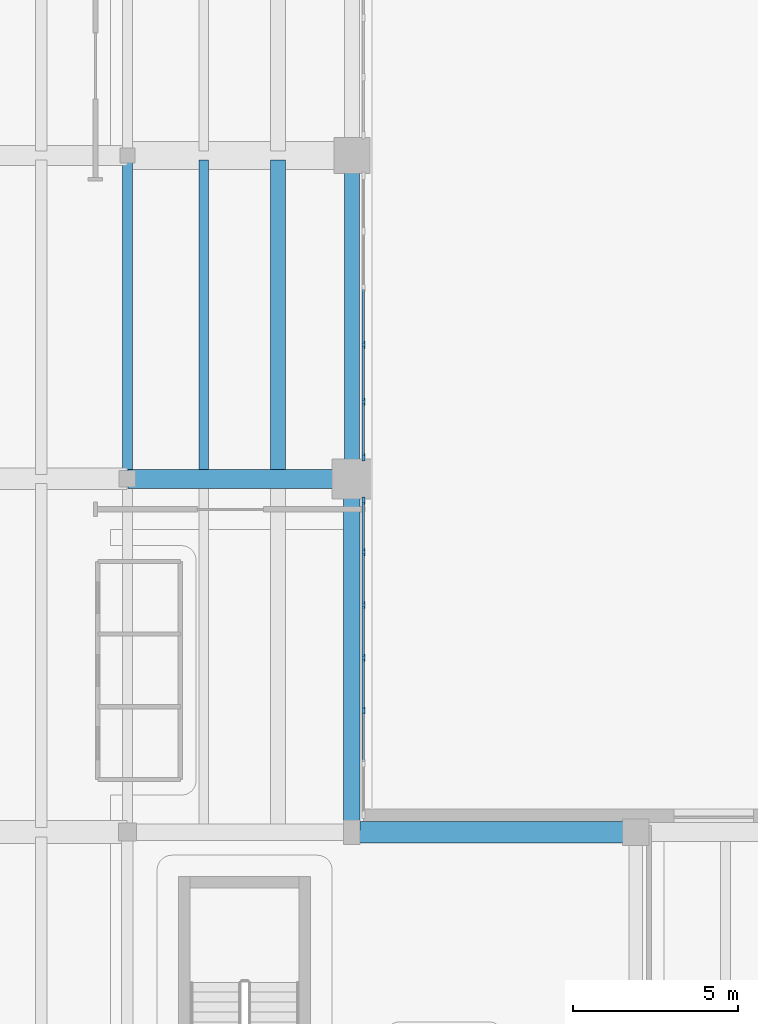
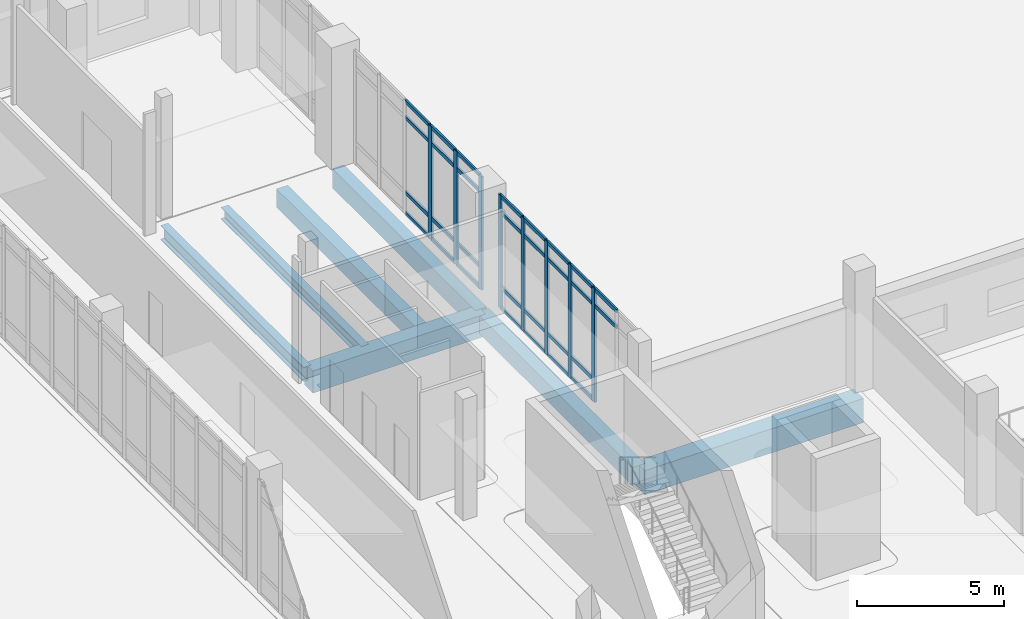
# One storey, part 17 of 74: 38 members, 7 beams, 2 elements without a shape of their own.
"""IFC4 building model written with IfcOpenShell, lengths in metres."""

from ifc_helpers import new_model, si_unit, direction, frame, origin, origin_2d, place, context, subcontext, project, spatial, rectangle, i_section, extrude, material, material_profile, profile_set, type_object, element, aggregate, save


model = new_model("IFC4")

# Units and contexts
model_context = context("Model", 3, precision=1e-05, world=origin(), true_north=direction((0.0, 1.0)))
body_context = subcontext(model_context, "Body", "Model", "MODEL_VIEW")
ifc_project = project(units=[si_unit("LENGTHUNIT", "METRE"), si_unit("AREAUNIT", "SQUARE_METRE"), si_unit("VOLUMEUNIT", "CUBIC_METRE"), si_unit("PLANEANGLEUNIT", "RADIAN"), si_unit("MASSUNIT", "GRAM", prefix="KILO")], contexts=[model_context])

# Site, building, storey
site_placement = place(None, origin())
site = spatial("IfcSite", under=ifc_project, at=site_placement, CompositionType="ELEMENT")
building_placement = place(site_placement, origin())
building = spatial("IfcBuilding", under=site, at=building_placement, Name="Soyqirgoq Riverine Aquarium", CompositionType="ELEMENT")
storey_placement = place(building_placement, origin())
storey = spatial("IfcBuildingStorey", under=building, at=storey_placement, Name="L01", CompositionType="ELEMENT", Elevation=0.0)

# Beams
ifc_material_1 = material(Name="Concrete C40/50", Category="concrete")
ifc_material_profile_1 = material_profile(ifc_material_1, rectangle(XDim=0.449951171875, YDim=0.75, at=origin_2d()), Name="RC 450x750")
ifc_profile_set_1 = profile_set([ifc_material_profile_1], Name="Concrete C40/50")
beam_type_1 = type_object("IfcBeamType", Name="Beam_RC_450x750", PredefinedType="BEAM", material=ifc_profile_set_1)
beam_1_placement = place(storey_placement, frame((127.156005859375, 28.639892578125, -0.72509765625), z_axis=(0.0, 1.0, 0.0), x_axis=(-1.0, 0.0, 0.0)))
element("IfcBeam", 1, at=beam_1_placement, inside=storey, type_object=beam_type_1, Name="V6 L01 Secondary Bay Joist 1077", PredefinedType="BEAM", context=body_context, shape_type="SweptSolid", body=[
    extrude(rectangle(XDim=0.449951171875, YDim=0.75, at=origin_2d()), origin(), (0.0, 0.0, 1.0), 9.52001953125),
])
ifc_material_2 = material(Name="Concrete C40/50", Category="concrete")
ifc_material_profile_2 = material_profile(ifc_material_2, rectangle(XDim=0.449951171875, YDim=0.800048828125, at=origin_2d()), Name="RC 450x800")
ifc_profile_set_2 = profile_set([ifc_material_profile_2], Name="Concrete C40/50")
beam_type_2 = type_object("IfcBeamType", Name="Beam_RC_450x800", PredefinedType="BEAM", material=ifc_profile_set_2)
beam_2_placement = place(storey_placement, frame((129.39990234375, 28.550048828125, -0.75), z_axis=(0.0, 1.0, 0.0), x_axis=(-1.0, 0.0, 0.0)))
element("IfcBeam", 2, at=beam_2_placement, inside=storey, type_object=beam_type_2, Name="V6 L01 North-South Frame Beam 1034", PredefinedType="BEAM", context=body_context, shape_type="SweptSolid", body=[
    extrude(rectangle(XDim=0.449951171875, YDim=0.800048828125, at=origin_2d()), origin(), (0.0, 0.0, 1.0), 9.699951171875),
])
ifc_material_3 = material(Name="Concrete C40/50", Category="concrete")
ifc_material_profile_3 = material_profile(ifc_material_3, rectangle(XDim=0.5, YDim=0.75, at=origin_2d()), Name="RC 500x750")
ifc_profile_set_3 = profile_set([ifc_material_profile_3], Name="Concrete C40/50")
beam_type_3 = type_object("IfcBeamType", Name="Beam_RC_500x750", PredefinedType="BEAM", material=ifc_profile_set_3)
beam_3_placement = place(storey_placement, frame((129.39990234375, 17.85009765625, -0.72509765625), z_axis=(0.0, 1.0, 0.0), x_axis=(-1.0, 0.0, 0.0)))
element("IfcBeam", 3, at=beam_3_placement, inside=storey, type_object=beam_type_3, Name="V6 L01 North-South Frame Beam 1032", PredefinedType="BEAM", context=body_context, shape_type="SweptSolid", body=[
    extrude(rectangle(XDim=0.5, YDim=0.75, at=origin_2d()), origin(), (0.0, 0.0, 1.0), 10.599853515625),
])

# Curtain wall, members
ifc_material_4 = material(Name="Structural silicone glazed entrance curtain wall", Category="aluminium")
curtain_wall_type = type_object("IfcCurtainWallType", Name="CW_Portal_Entrance", PredefinedType="NOTDEFINED", material=ifc_material_4)
curtain_wall_1_placement = place(storey_placement, origin())
curtain_wall_1 = element("IfcCurtainWall", 4, at=curtain_wall_1_placement, inside=storey, type_object=curtain_wall_type, Name="V6 L01 Curtain Wall 109", PredefinedType="NOTDEFINED")
ifc_material_5 = material(Name="Anodised aluminium 6063-T6", Category="aluminium")
ifc_material_profile_4 = material_profile(ifc_material_5, rectangle(XDim=0.080078125, YDim=0.219970703125, at=origin_2d()), Name="ALU-M 80x220")
ifc_profile_set_4 = profile_set([ifc_material_profile_4], Name="Anodised aluminium 6063-T6")
member_type_1 = type_object("IfcMemberType", Name="CWMullion_80x220", PredefinedType="MULLION", material=ifc_profile_set_4)
member_1_placement = place(storey_placement, frame((129.75, 32.56396484375, 0.0), z_axis=(0.0, 0.0, 1.0), x_axis=(1.0, 0.0, 0.0)))
member_1 = element("IfcMember", 5, at=member_1_placement, type_object=member_type_1, Name="CW-04 mullion 4", PredefinedType="MULLION", context=body_context, shape_type="SweptSolid", body=[
    extrude(rectangle(XDim=0.080078125, YDim=0.219970703125, at=origin_2d()), origin(), (0.0, 0.0, 1.0), 4.699951171875),
])
member_2_placement = place(storey_placement, frame((129.75, 30.842041015625, 0.0), z_axis=(0.0, 0.0, 1.0), x_axis=(1.0, 0.0, 0.0)))
member_2 = element("IfcMember", 6, at=member_2_placement, type_object=member_type_1, Name="CW-04 mullion 5", PredefinedType="MULLION", context=body_context, shape_type="SweptSolid", body=[
    extrude(rectangle(XDim=0.080078125, YDim=0.219970703125, at=origin_2d()), origin(), (0.0, 0.0, 1.0), 4.699951171875),
])
member_3_placement = place(storey_placement, frame((129.75, 29.159912109375, 0.0), z_axis=(0.0, 0.0, 1.0), x_axis=(1.0, 0.0, 0.0)))
member_3 = element("IfcMember", 7, at=member_3_placement, type_object=member_type_1, Name="CW-04 mullion 6", PredefinedType="MULLION", context=body_context, shape_type="SweptSolid", body=[
    extrude(rectangle(XDim=0.080078125, YDim=0.219970703125, at=origin_2d()), origin(), (0.0, 0.0, 1.0), 4.699951171875),
])

curtain_wall_2_placement = place(storey_placement, origin())
curtain_wall_2 = element("IfcCurtainWall", 8, at=curtain_wall_2_placement, inside=storey, type_object=curtain_wall_type, Name="V6 L01 Curtain Wall 110", PredefinedType="NOTDEFINED")
member_4_placement = place(storey_placement, frame((129.75, 27.840087890625, 0.0), z_axis=(0.0, 0.0, 1.0), x_axis=(1.0, 0.0, 0.0)))
member_4 = element("IfcMember", 9, at=member_4_placement, type_object=member_type_1, Name="CW-04 mullion 1", PredefinedType="MULLION", context=body_context, shape_type="SweptSolid", body=[
    extrude(rectangle(XDim=0.080078125, YDim=0.219970703125, at=origin_2d()), origin(), (0.0, 0.0, 1.0), 4.699951171875),
])
member_5_placement = place(storey_placement, frame((129.75, 26.28173828125, 0.0), z_axis=(0.0, 0.0, 1.0), x_axis=(1.0, 0.0, 0.0)))
member_5 = element("IfcMember", 10, at=member_5_placement, type_object=member_type_1, Name="CW-04 mullion 2", PredefinedType="MULLION", context=body_context, shape_type="SweptSolid", body=[
    extrude(rectangle(XDim=0.080078125, YDim=0.219970703125, at=origin_2d()), origin(), (0.0, 0.0, 1.0), 4.699951171875),
])
member_6_placement = place(storey_placement, frame((129.75, 24.683349609375, 0.0), z_axis=(0.0, 0.0, 1.0), x_axis=(1.0, 0.0, 0.0)))
member_6 = element("IfcMember", 11, at=member_6_placement, type_object=member_type_1, Name="CW-04 mullion 3", PredefinedType="MULLION", context=body_context, shape_type="SweptSolid", body=[
    extrude(rectangle(XDim=0.080078125, YDim=0.219970703125, at=origin_2d()), origin(), (0.0, 0.0, 1.0), 4.699951171875),
])
member_7_placement = place(storey_placement, frame((129.75, 23.0849609375, 0.0), z_axis=(0.0, 0.0, 1.0), x_axis=(1.0, 0.0, 0.0)))
member_7 = element("IfcMember", 12, at=member_7_placement, type_object=member_type_1, Name="CW-04 mullion 4", PredefinedType="MULLION", context=body_context, shape_type="SweptSolid", body=[
    extrude(rectangle(XDim=0.080078125, YDim=0.219970703125, at=origin_2d()), origin(), (0.0, 0.0, 1.0), 4.699951171875),
])
member_8_placement = place(storey_placement, frame((129.75, 21.486572265625, 0.0), z_axis=(0.0, 0.0, 1.0), x_axis=(1.0, 0.0, 0.0)))
member_8 = element("IfcMember", 13, at=member_8_placement, type_object=member_type_1, Name="CW-04 mullion 5", PredefinedType="MULLION", context=body_context, shape_type="SweptSolid", body=[
    extrude(rectangle(XDim=0.080078125, YDim=0.219970703125, at=origin_2d()), origin(), (0.0, 0.0, 1.0), 4.699951171875),
])

# Member
ifc_material_6 = material(Name="Anodised aluminium 6063-T6", Category="aluminium")
ifc_material_profile_5 = material_profile(ifc_material_6, rectangle(XDim=0.074951171875, YDim=0.14990234375, at=origin_2d()), Name="ALU-T 75x150")
ifc_profile_set_5 = profile_set([ifc_material_profile_5], Name="Anodised aluminium 6063-T6")
member_type_2 = type_object("IfcMemberType", Name="CWTransom_75x150", PredefinedType="USERDEFINED", material=ifc_profile_set_5)
member_9_placement = place(storey_placement, frame((129.75, 34.24609375, 0.03759765625), z_axis=(0.0, -1.0, 0.0), x_axis=(1.0, 0.0, 0.0)))
member_9 = element("IfcMember", 14, at=member_9_placement, type_object=member_type_2, Name="CW-04 transom 3.1", ObjectType="TRANSOM", PredefinedType="USERDEFINED", context=body_context, shape_type="SweptSolid", body=[
    extrude(rectangle(XDim=0.074951171875, YDim=0.14990234375, at=origin_2d()), origin(), (0.0, 0.0, 1.0), 1.64208984375),
])

member_10_placement = place(storey_placement, frame((129.75, 34.24609375, 0.89990234375), z_axis=(0.0, -1.0, 0.0), x_axis=(1.0, 0.0, 0.0)))
member_10 = element("IfcMember", 15, at=member_10_placement, type_object=member_type_2, Name="CW-04 transom 3.2", ObjectType="TRANSOM", PredefinedType="USERDEFINED", context=body_context, shape_type="SweptSolid", body=[
    extrude(rectangle(XDim=0.074951171875, YDim=0.14990234375, at=origin_2d()), origin(), (0.0, 0.0, 1.0), 1.64208984375),
])

member_11_placement = place(storey_placement, frame((129.75, 34.24609375, 4.0), z_axis=(0.0, -1.0, 0.0), x_axis=(1.0, 0.0, 0.0)))
member_11 = element("IfcMember", 16, at=member_11_placement, type_object=member_type_2, Name="CW-04 transom 3.3", ObjectType="TRANSOM", PredefinedType="USERDEFINED", context=body_context, shape_type="SweptSolid", body=[
    extrude(rectangle(XDim=0.074951171875, YDim=0.14990234375, at=origin_2d()), origin(), (0.0, 0.0, 1.0), 1.64208984375),
])

member_12_placement = place(storey_placement, frame((129.75, 34.24609375, 4.66259765625), z_axis=(0.0, -1.0, 0.0), x_axis=(1.0, 0.0, 0.0)))
member_12 = element("IfcMember", 17, at=member_12_placement, type_object=member_type_2, Name="CW-04 transom 3.4", ObjectType="TRANSOM", PredefinedType="USERDEFINED", context=body_context, shape_type="SweptSolid", body=[
    extrude(rectangle(XDim=0.074951171875, YDim=0.14990234375, at=origin_2d()), origin(), (0.0, 0.0, 1.0), 1.64208984375),
])

member_13_placement = place(storey_placement, frame((129.75, 32.52392578125, 0.03759765625), z_axis=(0.0, -1.0, 0.0), x_axis=(1.0, 0.0, 0.0)))
member_13 = element("IfcMember", 18, at=member_13_placement, type_object=member_type_2, Name="CW-04 transom 4.1", ObjectType="TRANSOM", PredefinedType="USERDEFINED", context=body_context, shape_type="SweptSolid", body=[
    extrude(rectangle(XDim=0.074951171875, YDim=0.14990234375, at=origin_2d()), origin(), (0.0, 0.0, 1.0), 1.641845703125),
])

member_14_placement = place(storey_placement, frame((129.75, 32.52392578125, 0.89990234375), z_axis=(0.0, -1.0, 0.0), x_axis=(1.0, 0.0, 0.0)))
member_14 = element("IfcMember", 19, at=member_14_placement, type_object=member_type_2, Name="CW-04 transom 4.2", ObjectType="TRANSOM", PredefinedType="USERDEFINED", context=body_context, shape_type="SweptSolid", body=[
    extrude(rectangle(XDim=0.074951171875, YDim=0.14990234375, at=origin_2d()), origin(), (0.0, 0.0, 1.0), 1.641845703125),
])

member_15_placement = place(storey_placement, frame((129.75, 32.52392578125, 4.0), z_axis=(0.0, -1.0, 0.0), x_axis=(1.0, 0.0, 0.0)))
member_15 = element("IfcMember", 20, at=member_15_placement, type_object=member_type_2, Name="CW-04 transom 4.3", ObjectType="TRANSOM", PredefinedType="USERDEFINED", context=body_context, shape_type="SweptSolid", body=[
    extrude(rectangle(XDim=0.074951171875, YDim=0.14990234375, at=origin_2d()), origin(), (0.0, 0.0, 1.0), 1.641845703125),
])

member_16_placement = place(storey_placement, frame((129.75, 32.52392578125, 4.66259765625), z_axis=(0.0, -1.0, 0.0), x_axis=(1.0, 0.0, 0.0)))
member_16 = element("IfcMember", 21, at=member_16_placement, type_object=member_type_2, Name="CW-04 transom 4.4", ObjectType="TRANSOM", PredefinedType="USERDEFINED", context=body_context, shape_type="SweptSolid", body=[
    extrude(rectangle(XDim=0.074951171875, YDim=0.14990234375, at=origin_2d()), origin(), (0.0, 0.0, 1.0), 1.641845703125),
])

member_17_placement = place(storey_placement, frame((129.75, 30.802001953125, 0.03759765625), z_axis=(0.0, -1.0, 0.0), x_axis=(1.0, 0.0, 0.0)))
member_17 = element("IfcMember", 22, at=member_17_placement, type_object=member_type_2, Name="CW-04 transom 5.1", ObjectType="TRANSOM", PredefinedType="USERDEFINED", context=body_context, shape_type="SweptSolid", body=[
    extrude(rectangle(XDim=0.074951171875, YDim=0.14990234375, at=origin_2d()), origin(), (0.0, 0.0, 1.0), 1.60205078125),
])

member_18_placement = place(storey_placement, frame((129.75, 30.802001953125, 0.89990234375), z_axis=(0.0, -1.0, 0.0), x_axis=(1.0, 0.0, 0.0)))
member_18 = element("IfcMember", 23, at=member_18_placement, type_object=member_type_2, Name="CW-04 transom 5.2", ObjectType="TRANSOM", PredefinedType="USERDEFINED", context=body_context, shape_type="SweptSolid", body=[
    extrude(rectangle(XDim=0.074951171875, YDim=0.14990234375, at=origin_2d()), origin(), (0.0, 0.0, 1.0), 1.60205078125),
])

member_19_placement = place(storey_placement, frame((129.75, 30.802001953125, 4.0), z_axis=(0.0, -1.0, 0.0), x_axis=(1.0, 0.0, 0.0)))
member_19 = element("IfcMember", 24, at=member_19_placement, type_object=member_type_2, Name="CW-04 transom 5.3", ObjectType="TRANSOM", PredefinedType="USERDEFINED", context=body_context, shape_type="SweptSolid", body=[
    extrude(rectangle(XDim=0.074951171875, YDim=0.14990234375, at=origin_2d()), origin(), (0.0, 0.0, 1.0), 1.60205078125),
])

member_20_placement = place(storey_placement, frame((129.75, 30.802001953125, 4.66259765625), z_axis=(0.0, -1.0, 0.0), x_axis=(1.0, 0.0, 0.0)))
member_20 = element("IfcMember", 25, at=member_20_placement, type_object=member_type_2, Name="CW-04 transom 5.4", ObjectType="TRANSOM", PredefinedType="USERDEFINED", context=body_context, shape_type="SweptSolid", body=[
    extrude(rectangle(XDim=0.074951171875, YDim=0.14990234375, at=origin_2d()), origin(), (0.0, 0.0, 1.0), 1.60205078125),
])

aggregate(curtain_wall_1, [member_1, member_2, member_3, member_9, member_10, member_11, member_12, member_13, member_14, member_15, member_16, member_17, member_18, member_19, member_20])

member_21_placement = place(storey_placement, frame((129.75, 27.800048828125, 0.03759765625), z_axis=(0.0, -1.0, 0.0), x_axis=(1.0, 0.0, 0.0)))
member_21 = element("IfcMember", 26, at=member_21_placement, type_object=member_type_2, Name="CW-04 transom 1.1", ObjectType="TRANSOM", PredefinedType="USERDEFINED", context=body_context, shape_type="SweptSolid", body=[
    extrude(rectangle(XDim=0.074951171875, YDim=0.14990234375, at=origin_2d()), origin(), (0.0, 0.0, 1.0), 1.478271484375),
])

member_22_placement = place(storey_placement, frame((129.75, 27.800048828125, 0.89990234375), z_axis=(0.0, -1.0, 0.0), x_axis=(1.0, 0.0, 0.0)))
member_22 = element("IfcMember", 27, at=member_22_placement, type_object=member_type_2, Name="CW-04 transom 1.2", ObjectType="TRANSOM", PredefinedType="USERDEFINED", context=body_context, shape_type="SweptSolid", body=[
    extrude(rectangle(XDim=0.074951171875, YDim=0.14990234375, at=origin_2d()), origin(), (0.0, 0.0, 1.0), 1.478271484375),
])

member_23_placement = place(storey_placement, frame((129.75, 27.800048828125, 4.0), z_axis=(0.0, -1.0, 0.0), x_axis=(1.0, 0.0, 0.0)))
member_23 = element("IfcMember", 28, at=member_23_placement, type_object=member_type_2, Name="CW-04 transom 1.3", ObjectType="TRANSOM", PredefinedType="USERDEFINED", context=body_context, shape_type="SweptSolid", body=[
    extrude(rectangle(XDim=0.074951171875, YDim=0.14990234375, at=origin_2d()), origin(), (0.0, 0.0, 1.0), 1.478271484375),
])

member_24_placement = place(storey_placement, frame((129.75, 27.800048828125, 4.66259765625), z_axis=(0.0, -1.0, 0.0), x_axis=(1.0, 0.0, 0.0)))
member_24 = element("IfcMember", 29, at=member_24_placement, type_object=member_type_2, Name="CW-04 transom 1.4", ObjectType="TRANSOM", PredefinedType="USERDEFINED", context=body_context, shape_type="SweptSolid", body=[
    extrude(rectangle(XDim=0.074951171875, YDim=0.14990234375, at=origin_2d()), origin(), (0.0, 0.0, 1.0), 1.478271484375),
])

member_25_placement = place(storey_placement, frame((129.75, 26.24169921875, 0.03759765625), z_axis=(0.0, -1.0, 0.0), x_axis=(1.0, 0.0, 0.0)))
member_25 = element("IfcMember", 30, at=member_25_placement, type_object=member_type_2, Name="CW-04 transom 2.1", ObjectType="TRANSOM", PredefinedType="USERDEFINED", context=body_context, shape_type="SweptSolid", body=[
    extrude(rectangle(XDim=0.074951171875, YDim=0.14990234375, at=origin_2d()), origin(), (0.0, 0.0, 1.0), 1.518310546875),
])

member_26_placement = place(storey_placement, frame((129.75, 26.24169921875, 0.89990234375), z_axis=(0.0, -1.0, 0.0), x_axis=(1.0, 0.0, 0.0)))
member_26 = element("IfcMember", 31, at=member_26_placement, type_object=member_type_2, Name="CW-04 transom 2.2", ObjectType="TRANSOM", PredefinedType="USERDEFINED", context=body_context, shape_type="SweptSolid", body=[
    extrude(rectangle(XDim=0.074951171875, YDim=0.14990234375, at=origin_2d()), origin(), (0.0, 0.0, 1.0), 1.518310546875),
])

member_27_placement = place(storey_placement, frame((129.75, 26.24169921875, 4.0), z_axis=(0.0, -1.0, 0.0), x_axis=(1.0, 0.0, 0.0)))
member_27 = element("IfcMember", 32, at=member_27_placement, type_object=member_type_2, Name="CW-04 transom 2.3", ObjectType="TRANSOM", PredefinedType="USERDEFINED", context=body_context, shape_type="SweptSolid", body=[
    extrude(rectangle(XDim=0.074951171875, YDim=0.14990234375, at=origin_2d()), origin(), (0.0, 0.0, 1.0), 1.518310546875),
])

member_28_placement = place(storey_placement, frame((129.75, 26.24169921875, 4.66259765625), z_axis=(0.0, -1.0, 0.0), x_axis=(1.0, 0.0, 0.0)))
member_28 = element("IfcMember", 33, at=member_28_placement, type_object=member_type_2, Name="CW-04 transom 2.4", ObjectType="TRANSOM", PredefinedType="USERDEFINED", context=body_context, shape_type="SweptSolid", body=[
    extrude(rectangle(XDim=0.074951171875, YDim=0.14990234375, at=origin_2d()), origin(), (0.0, 0.0, 1.0), 1.518310546875),
])

member_29_placement = place(storey_placement, frame((129.75, 24.643310546875, 0.03759765625), z_axis=(0.0, -1.0, 0.0), x_axis=(1.0, 0.0, 0.0)))
member_29 = element("IfcMember", 34, at=member_29_placement, type_object=member_type_2, Name="CW-04 transom 3.1", ObjectType="TRANSOM", PredefinedType="USERDEFINED", context=body_context, shape_type="SweptSolid", body=[
    extrude(rectangle(XDim=0.074951171875, YDim=0.14990234375, at=origin_2d()), origin(), (0.0, 0.0, 1.0), 1.518310546875),
])

member_30_placement = place(storey_placement, frame((129.75, 24.643310546875, 0.89990234375), z_axis=(0.0, -1.0, 0.0), x_axis=(1.0, 0.0, 0.0)))
member_30 = element("IfcMember", 35, at=member_30_placement, type_object=member_type_2, Name="CW-04 transom 3.2", ObjectType="TRANSOM", PredefinedType="USERDEFINED", context=body_context, shape_type="SweptSolid", body=[
    extrude(rectangle(XDim=0.074951171875, YDim=0.14990234375, at=origin_2d()), origin(), (0.0, 0.0, 1.0), 1.518310546875),
])

member_31_placement = place(storey_placement, frame((129.75, 24.643310546875, 4.0), z_axis=(0.0, -1.0, 0.0), x_axis=(1.0, 0.0, 0.0)))
member_31 = element("IfcMember", 36, at=member_31_placement, type_object=member_type_2, Name="CW-04 transom 3.3", ObjectType="TRANSOM", PredefinedType="USERDEFINED", context=body_context, shape_type="SweptSolid", body=[
    extrude(rectangle(XDim=0.074951171875, YDim=0.14990234375, at=origin_2d()), origin(), (0.0, 0.0, 1.0), 1.518310546875),
])

member_32_placement = place(storey_placement, frame((129.75, 24.643310546875, 4.66259765625), z_axis=(0.0, -1.0, 0.0), x_axis=(1.0, 0.0, 0.0)))
member_32 = element("IfcMember", 37, at=member_32_placement, type_object=member_type_2, Name="CW-04 transom 3.4", ObjectType="TRANSOM", PredefinedType="USERDEFINED", context=body_context, shape_type="SweptSolid", body=[
    extrude(rectangle(XDim=0.074951171875, YDim=0.14990234375, at=origin_2d()), origin(), (0.0, 0.0, 1.0), 1.518310546875),
])

member_33_placement = place(storey_placement, frame((129.75, 23.044921875, 0.03759765625), z_axis=(0.0, -1.0, 0.0), x_axis=(1.0, 0.0, 0.0)))
member_33 = element("IfcMember", 38, at=member_33_placement, type_object=member_type_2, Name="CW-04 transom 4.1", ObjectType="TRANSOM", PredefinedType="USERDEFINED", context=body_context, shape_type="SweptSolid", body=[
    extrude(rectangle(XDim=0.074951171875, YDim=0.14990234375, at=origin_2d()), origin(), (0.0, 0.0, 1.0), 1.518310546875),
])

member_34_placement = place(storey_placement, frame((129.75, 23.044921875, 0.89990234375), z_axis=(0.0, -1.0, 0.0), x_axis=(1.0, 0.0, 0.0)))
member_34 = element("IfcMember", 39, at=member_34_placement, type_object=member_type_2, Name="CW-04 transom 4.2", ObjectType="TRANSOM", PredefinedType="USERDEFINED", context=body_context, shape_type="SweptSolid", body=[
    extrude(rectangle(XDim=0.074951171875, YDim=0.14990234375, at=origin_2d()), origin(), (0.0, 0.0, 1.0), 1.518310546875),
])

member_35_placement = place(storey_placement, frame((129.75, 23.044921875, 4.0), z_axis=(0.0, -1.0, 0.0), x_axis=(1.0, 0.0, 0.0)))
member_35 = element("IfcMember", 40, at=member_35_placement, type_object=member_type_2, Name="CW-04 transom 4.3", ObjectType="TRANSOM", PredefinedType="USERDEFINED", context=body_context, shape_type="SweptSolid", body=[
    extrude(rectangle(XDim=0.074951171875, YDim=0.14990234375, at=origin_2d()), origin(), (0.0, 0.0, 1.0), 1.518310546875),
])

member_36_placement = place(storey_placement, frame((129.75, 23.044921875, 4.66259765625), z_axis=(0.0, -1.0, 0.0), x_axis=(1.0, 0.0, 0.0)))
member_36 = element("IfcMember", 41, at=member_36_placement, type_object=member_type_2, Name="CW-04 transom 4.4", ObjectType="TRANSOM", PredefinedType="USERDEFINED", context=body_context, shape_type="SweptSolid", body=[
    extrude(rectangle(XDim=0.074951171875, YDim=0.14990234375, at=origin_2d()), origin(), (0.0, 0.0, 1.0), 1.518310546875),
])

member_37_placement = place(storey_placement, frame((129.75, 21.44677734375, 4.0), z_axis=(0.0, -1.0, 0.0), x_axis=(1.0, 0.0, 0.0)))
member_37 = element("IfcMember", 42, at=member_37_placement, type_object=member_type_2, Name="CW-04 transom 5.3", ObjectType="TRANSOM", PredefinedType="USERDEFINED", context=body_context, shape_type="SweptSolid", body=[
    extrude(rectangle(XDim=0.074951171875, YDim=0.14990234375, at=origin_2d()), origin(), (0.0, 0.0, 1.0), 1.5185546875),
])

member_38_placement = place(storey_placement, frame((129.75, 21.44677734375, 4.66259765625), z_axis=(0.0, -1.0, 0.0), x_axis=(1.0, 0.0, 0.0)))
member_38 = element("IfcMember", 43, at=member_38_placement, type_object=member_type_2, Name="CW-04 transom 5.4", ObjectType="TRANSOM", PredefinedType="USERDEFINED", context=body_context, shape_type="SweptSolid", body=[
    extrude(rectangle(XDim=0.074951171875, YDim=0.14990234375, at=origin_2d()), origin(), (0.0, 0.0, 1.0), 1.5185546875),
])

aggregate(curtain_wall_2, [member_4, member_5, member_6, member_7, member_8, member_21, member_22, member_23, member_24, member_25, member_26, member_27, member_28, member_29, member_30, member_31, member_32, member_33, member_34, member_35, member_36, member_37, member_38])

# Beams
ifc_material_7 = material(Name="Concrete C40/50", Category="concrete")
ifc_material_profile_6 = material_profile(ifc_material_7, rectangle(XDim=0.580078125, YDim=0.919921875, at=origin_2d()), Name="RC 580x920")
ifc_profile_set_6 = profile_set([ifc_material_profile_6], Name="Concrete C40/50")
beam_type_4 = type_object("IfcBeamType", Name="Girder_RC_580x920", PredefinedType="BEAM", material=ifc_profile_set_6)
beam_4_placement = place(storey_placement, frame((122.6201171875, 28.5, -0.81005859375), z_axis=(1.0, 0.0, 0.0), x_axis=(0.0, 1.0, 0.0)))
element("IfcBeam", 44, at=beam_4_placement, inside=storey, type_object=beam_type_4, Name="V6 L01 East-West Frame Girder 1025", PredefinedType="BEAM", context=body_context, shape_type="SweptSolid", body=[
    extrude(rectangle(XDim=0.580078125, YDim=0.919921875, at=origin_2d()), origin(), (0.0, 0.0, 1.0), 6.759765625),
])
ifc_material_8 = material(Name="Concrete C40/50", Category="concrete")
ifc_material_profile_7 = material_profile(ifc_material_8, rectangle(XDim=0.64990234375, YDim=1.0, at=origin_2d()), Name="RC 650x1000")
ifc_profile_set_7 = profile_set([ifc_material_profile_7], Name="Concrete C40/50")
beam_type_5 = type_object("IfcBeamType", Name="Girder_RC_650x1000", PredefinedType="BEAM", material=ifc_profile_set_7)
beam_5_placement = place(storey_placement, frame((129.419921875, 17.800048828125, -0.85009765625), z_axis=(1.0, 0.0, 0.0), x_axis=(0.0, 1.0, 0.0)))
element("IfcBeam", 45, at=beam_5_placement, inside=storey, type_object=beam_type_5, Name="V6 L01 East-West Frame Girder 1033", PredefinedType="BEAM", context=body_context, shape_type="SweptSolid", body=[
    extrude(rectangle(XDim=0.64990234375, YDim=1.0, at=origin_2d()), origin(), (0.0, 0.0, 1.0), 8.56005859375),
])
ifc_material_9 = material(Name="Structural steel S355", Category="steel")
ifc_material_profile_8 = material_profile(ifc_material_9, i_section(OverallWidth=0.300048828125, OverallDepth=0.489990234375, WebThickness=0.011962890625, FlangeThickness=0.02294921875, FilletRadius=0.027099609375, at=origin_2d()), Name="HEA 500")
ifc_profile_set_8 = profile_set([ifc_material_profile_8], Name="Structural steel S355")
beam_type_6 = type_object("IfcBeamType", Name="SteelBeam_HEA500", PredefinedType="BEAM", material=ifc_profile_set_8)
beam_6_placement = place(storey_placement, frame((124.912109375, 28.639892578125, -0.594970703125), z_axis=(0.0, 1.0, 0.0), x_axis=(-1.0, 0.0, 0.0)))
element("IfcBeam", 46, at=beam_6_placement, inside=storey, type_object=beam_type_6, Name="V6 L01 Secondary Bay Joist 1076", PredefinedType="BEAM", context=body_context, shape_type="SweptSolid", body=[
    extrude(i_section(OverallWidth=0.300048828125, OverallDepth=0.489990234375, WebThickness=0.011962890625, FlangeThickness=0.02294921875, FilletRadius=0.027099609375, at=origin_2d()), origin(), (0.0, 0.0, 1.0), 9.52001953125),
])
ifc_material_10 = material(Name="Structural steel S355", Category="steel")
ifc_material_profile_9 = material_profile(ifc_material_10, i_section(OverallWidth=0.300048828125, OverallDepth=0.590087890625, WebThickness=0.012939453125, FlangeThickness=0.02490234375, FilletRadius=0.027099609375, at=origin_2d()), Name="HEA 600")
ifc_profile_set_9 = profile_set([ifc_material_profile_9], Name="Structural steel S355")
beam_type_7 = type_object("IfcBeamType", Name="SteelBeam_HEA600", PredefinedType="BEAM", material=ifc_profile_set_9)
beam_7_placement = place(storey_placement, frame((122.60009765625, 28.550048828125, -0.64501953125), z_axis=(0.0, 1.0, 0.0), x_axis=(-1.0, 0.0, 0.0)))
element("IfcBeam", 47, at=beam_7_placement, inside=storey, type_object=beam_type_7, Name="V6 L01 North-South Frame Beam 1024", PredefinedType="BEAM", context=body_context, shape_type="SweptSolid", body=[
    extrude(i_section(OverallWidth=0.300048828125, OverallDepth=0.590087890625, WebThickness=0.012939453125, FlangeThickness=0.02490234375, FilletRadius=0.027099609375, at=origin_2d()), origin(), (0.0, 0.0, 1.0), 9.699951171875),
])

save(model, "model.ifc")
